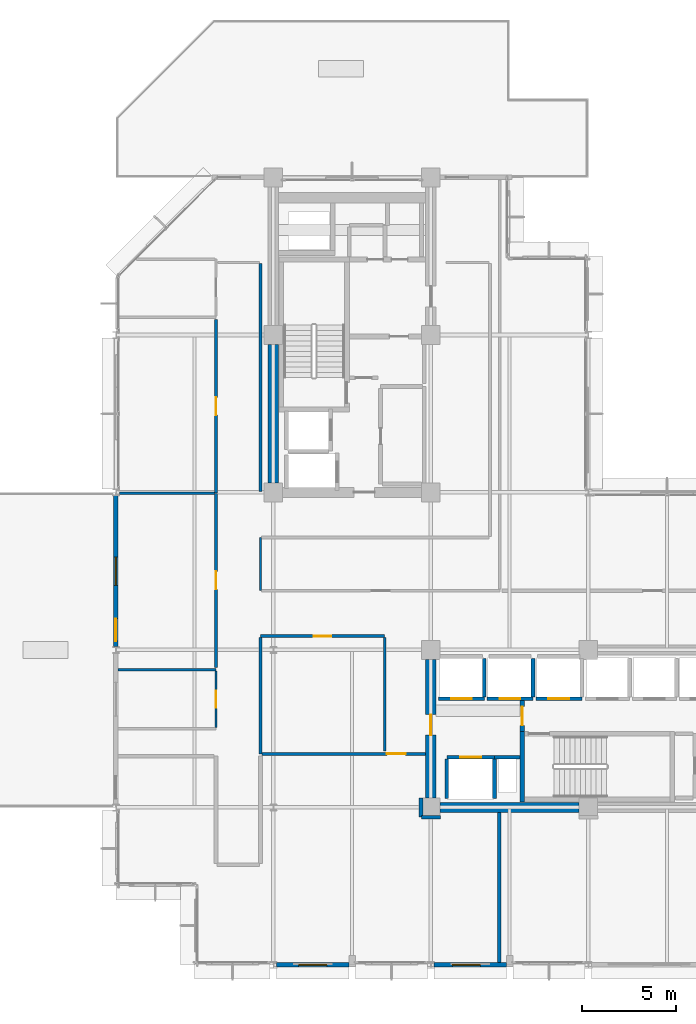
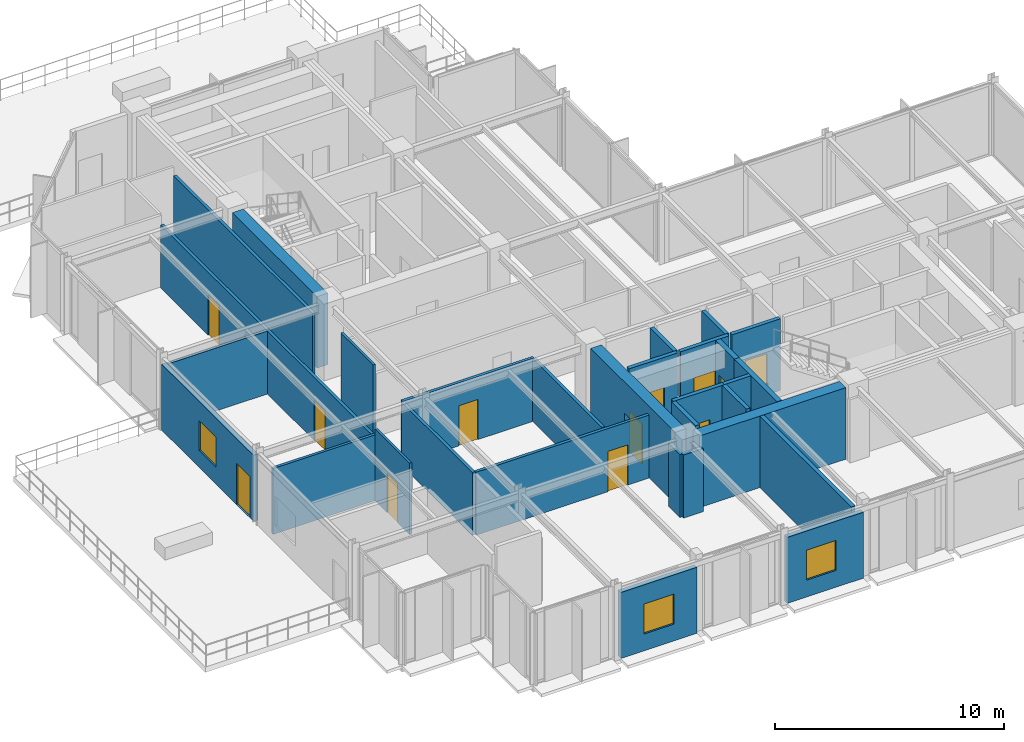
# One storey, part 15 of 21: 31 walls, 12 doors, 3 windows, 15 openings.
"""IFC4 building model written with IfcOpenShell, lengths in metres."""

from ifc_helpers import new_model, si_unit, direction, frame, frame_2d, origin, place, context, subcontext, project, spatial, rectangle, extrude, material, layer, layer_set, type_object, element, fill, save


model = new_model("IFC4")

# Units and contexts
model_context = context("Model", 3, precision=1e-05, world=origin(), true_north=direction((0.0, 1.0)))
body_context = subcontext(model_context, "Body", "Model", "MODEL_VIEW")
ifc_project = project(units=[si_unit("LENGTHUNIT", "METRE"), si_unit("AREAUNIT", "SQUARE_METRE"), si_unit("VOLUMEUNIT", "CUBIC_METRE"), si_unit("PLANEANGLEUNIT", "RADIAN"), si_unit("MASSUNIT", "GRAM", prefix="KILO")], contexts=[model_context])

# Site, building, storey
site_placement = place(None, origin())
site = spatial("IfcSite", under=ifc_project, at=site_placement, CompositionType="ELEMENT")
building_placement = place(site_placement, origin())
building = spatial("IfcBuilding", under=site, at=building_placement, Name="Nerrivon Quay Data Exchange", CompositionType="ELEMENT")
storey_placement = place(building_placement, frame((0.0, 0.0, 220.60009765625)))
storey = spatial("IfcBuildingStorey", under=building, at=storey_placement, Name="L52", CompositionType="ELEMENT", Elevation=220.60009765625)

# Wall, opening, window
ifc_material_1 = material(Name="Architectural terracotta precast concrete N50 (50 MPa)", Category="masonry")
ifc_layer_1 = layer(ifc_material_1, 0.239990234375)
ifc_layer_set_1 = layer_set([ifc_layer_1], Name="Architectural terracotta precast concrete N50 (50 MPa)")
wall_type_1 = type_object("IfcWallType", Name="EW-PREC-240", PredefinedType="STANDARD", material=ifc_layer_set_1)
wall_1_placement = place(storey_placement, frame((20.824951171875, 0.0, 0.0), z_axis=(0.0, 0.0, 1.0), x_axis=(-1.0, 0.0, 0.0)))
wall_1 = element("IfcWall", 1, at=wall_1_placement, inside=storey, type_object=wall_type_1, Name="L52 Podium Precast Spandrel Wall 5", PredefinedType="STANDARD", context=body_context, shape_type="SweptSolid", body=[
    extrude(rectangle(XDim=3.849853515625, YDim=0.239990234375, at=frame_2d((1.9248046875, 0.0))), origin(), (0.0, 0.0, 1.0), 3.52490234375),
])
opening_1_placement = place(wall_1_placement, frame((1.376953125, 0.0, 0.89990234375)))
opening_1 = element("IfcOpeningElement", 2, at=opening_1_placement, cuts=wall_1, Name="Opening WN4", PredefinedType="OPENING", context=body_context, shape_type="SweptSolid", body=[
    extrude(rectangle(XDim=1.5, YDim=1.60009765625, at=frame_2d((0.75, 0.800048828125))), frame((0.0, 0.1298828125, 0.0), z_axis=(0.0, -1.0, 0.0), x_axis=(1.0, 0.0, 0.0)), (0.0, 0.0, 1.0), 0.260009765625),
])
ifc_material_2 = material(Name="Double-glazed low-E solar control glass", Category="glass")
window_type = type_object("IfcWindowType", Name="WIN-W4-1500x1600", PartitioningType="SINGLE_PANEL", PredefinedType="WINDOW", material=ifc_material_2)
window_1_placement = place(opening_1_placement, origin())
window_1 = element("IfcWindow", 3, at=window_1_placement, inside=storey, type_object=window_type, Name="L52 Solar Facade Window 5", OverallHeight=1.60009765625, OverallWidth=1.5, PartitioningType="SINGLE_PANEL", PredefinedType="WINDOW", context=body_context, shape_type="SweptSolid", body=[
    extrude(rectangle(XDim=1.5, YDim=1.60009765625, at=frame_2d((0.75, 0.800048828125))), frame((0.0, 0.030029296875, 0.0), z_axis=(0.0, -1.0, 0.0), x_axis=(1.0, 0.0, 0.0)), (0.0, 0.0, 1.0), 0.06005859375),
])
fill(opening_1, window_1)

wall_2_placement = place(storey_placement, frame((12.425048828125, 0.0, 0.0), z_axis=(0.0, 0.0, 1.0), x_axis=(-1.0, 0.0, 0.0)))
wall_2 = element("IfcWall", 4, at=wall_2_placement, inside=storey, type_object=wall_type_1, Name="L52 Podium Precast Spandrel Wall 7", PredefinedType="STANDARD", context=body_context, shape_type="SweptSolid", body=[
    extrude(rectangle(XDim=3.85009765625, YDim=0.239990234375, at=frame_2d((1.925048828125, 0.0))), origin(), (0.0, 0.0, 1.0), 3.52490234375),
])
opening_2_placement = place(wall_2_placement, frame((1.175048828125, 0.0, 0.89990234375)))
opening_2 = element("IfcOpeningElement", 5, at=opening_2_placement, cuts=wall_2, Name="Opening WN4", PredefinedType="OPENING", context=body_context, shape_type="SweptSolid", body=[
    extrude(rectangle(XDim=1.5, YDim=1.60009765625, at=frame_2d((0.75, 0.800048828125))), frame((0.0, 0.1298828125, 0.0), z_axis=(0.0, -1.0, 0.0), x_axis=(1.0, 0.0, 0.0)), (0.0, 0.0, 1.0), 0.260009765625),
])
window_2_placement = place(opening_2_placement, origin())
window_2 = element("IfcWindow", 6, at=window_2_placement, inside=storey, type_object=window_type, Name="L52 Solar Facade Window 7", OverallHeight=1.60009765625, OverallWidth=1.5, PartitioningType="SINGLE_PANEL", PredefinedType="WINDOW", context=body_context, shape_type="SweptSolid", body=[
    extrude(rectangle(XDim=1.5, YDim=1.60009765625, at=frame_2d((0.75, 0.800048828125))), frame((0.0, 0.030029296875, 0.0), z_axis=(0.0, -1.0, 0.0), x_axis=(1.0, 0.0, 0.0)), (0.0, 0.0, 1.0), 0.06005859375),
])
fill(opening_2, window_2)

# Wall, openings, door, window
wall_3_placement = place(storey_placement, frame((0.0, 16.97509765625, 0.0), z_axis=(0.0, 0.0, 1.0), x_axis=(0.0, 1.0, 0.0)))
wall_3 = element("IfcWall", 7, at=wall_3_placement, inside=storey, type_object=wall_type_1, Name="L52 Terrace Host Wall 13", PredefinedType="STANDARD", context=body_context, shape_type="SweptSolid", body=[
    extrude(rectangle(XDim=8.0498046875, YDim=0.239990234375, at=frame_2d((4.02490234375, 0.0))), origin(), (0.0, 0.0, 1.0), 3.52490234375),
])
opening_3_placement = place(wall_3_placement, frame((0.300048828125, 0.0, 0.0)))
opening_3 = element("IfcOpeningElement", 8, at=opening_3_placement, cuts=wall_3, Name="Opening TD1", PredefinedType="OPENING", context=body_context, shape_type="SweptSolid", body=[
    extrude(rectangle(XDim=1.199951171875, YDim=2.199951171875, at=frame_2d((0.60009765625, 1.10009765625))), frame((0.0, 0.1298828125, 0.0), z_axis=(0.0, -1.0, 0.0), x_axis=(1.0, 0.0, 0.0)), (0.0, 0.0, 1.0), 0.260009765625),
])
opening_4_placement = place(wall_3_placement, frame((3.27490234375, 0.0, 0.89990234375)))
opening_4 = element("IfcOpeningElement", 9, at=opening_4_placement, cuts=wall_3, Name="Opening WN4", PredefinedType="OPENING", context=body_context, shape_type="SweptSolid", body=[
    extrude(rectangle(XDim=1.5, YDim=1.60009765625, at=frame_2d((0.75, 0.800048828125))), frame((0.0, 0.1298828125, 0.0), z_axis=(0.0, -1.0, 0.0), x_axis=(1.0, 0.0, 0.0)), (0.0, 0.0, 1.0), 0.260009765625),
])
door_type_1 = type_object("IfcDoorType", Name="DR-TERR-1200x2200", OperationType="NOTDEFINED", PredefinedType="DOOR", material=ifc_material_2)
door_1_placement = place(opening_3_placement, origin())
door_1 = element("IfcDoor", 10, at=door_1_placement, inside=storey, type_object=door_type_1, Name="L52 Outdoor Terrace Access Door 13", OperationType="SINGLE_SWING_RIGHT", OverallHeight=2.199951171875, OverallWidth=1.199951171875, PredefinedType="DOOR", context=body_context, shape_type="SweptSolid", body=[
    extrude(rectangle(XDim=1.199951171875, YDim=2.199951171875, at=frame_2d((0.60009765625, 1.10009765625))), frame((0.0, 0.02490234375, 0.0), z_axis=(0.0, -1.0, 0.0), x_axis=(1.0, 0.0, 0.0)), (0.0, 0.0, 1.0), 0.050048828125),
])
fill(opening_3, door_1)
window_3_placement = place(opening_4_placement, origin())
window_3 = element("IfcWindow", 11, at=window_3_placement, inside=storey, type_object=window_type, Name="L52 Terrace Side Window 13", OverallHeight=1.60009765625, OverallWidth=1.5, PartitioningType="SINGLE_PANEL", PredefinedType="WINDOW", context=body_context, shape_type="SweptSolid", body=[
    extrude(rectangle(XDim=1.5, YDim=1.60009765625, at=frame_2d((0.75, 0.800048828125))), frame((0.0, 0.030029296875, 0.0), z_axis=(0.0, -1.0, 0.0), x_axis=(1.0, 0.0, 0.0)), (0.0, 0.0, 1.0), 0.06005859375),
])
fill(opening_4, window_3)

# Walls
ifc_material_3 = material(Name="Concrete S65 (65 MPa)", Category="concrete")
ifc_layer_2 = layer(ifc_material_3, 0.550048828125)
ifc_layer_set_2 = layer_set([ifc_layer_2], Name="Concrete S65 (65 MPa)")
wall_type_2 = type_object("IfcWallType", Name="WALL-CW-700", PredefinedType="SHEAR", material=ifc_layer_set_2)
wall_4_placement = place(storey_placement, frame((8.39990234375, 25.699951171875, 0.0), z_axis=(0.0, 0.0, 1.0), x_axis=(0.0, 1.0, 0.0)))
element("IfcWall", 12, at=wall_4_placement, inside=storey, type_object=wall_type_2, Name="L52 West Split-Core Shear Wall WCW-W1", PredefinedType="SHEAR", context=body_context, shape_type="SweptSolid", body=[
    extrude(rectangle(XDim=7.400146484375, YDim=0.550048828125, at=frame_2d((3.7001953125, 0.0))), origin(), (0.0, 0.0, 1.0), 3.824951171875),
])
wall_5_placement = place(storey_placement, frame((17.300048828125, 8.39990234375, 0.0), z_axis=(0.0, 0.0, 1.0), x_axis=(1.0, 0.0, 0.0)))
element("IfcWall", 13, at=wall_5_placement, inside=storey, type_object=wall_type_2, Name="L52 East Split-Core Shear Wall ECW-S1", PredefinedType="SHEAR", context=body_context, shape_type="SweptSolid", body=[
    extrude(rectangle(XDim=7.39990234375, YDim=0.550048828125, at=frame_2d((3.699951171875, 0.0))), origin(), (0.0, 0.0, 1.0), 3.824951171875),
])

# Wall, opening, door
wall_6_placement = place(storey_placement, frame((16.800048828125, 8.89990234375, 0.0), z_axis=(0.0, 0.0, 1.0), x_axis=(0.0, 1.0, 0.0)))
wall_6 = element("IfcWall", 14, at=wall_6_placement, inside=storey, type_object=wall_type_2, Name="L52 East Split-Core Shear Wall ECW-W1", PredefinedType="SHEAR", context=body_context, shape_type="SweptSolid", body=[
    extrude(rectangle(XDim=7.400146484375, YDim=0.550048828125, at=frame_2d((3.7001953125, 0.0))), origin(), (0.0, 0.0, 1.0), 3.824951171875),
])
opening_5_placement = place(wall_6_placement, frame((3.35009765625, 0.0, 0.0)))
opening_5 = element("IfcOpeningElement", 15, at=opening_5_placement, cuts=wall_6, Name="Opening FD-120", PredefinedType="OPENING", context=body_context, shape_type="SweptSolid", body=[
    extrude(rectangle(XDim=1.10009765625, YDim=2.14990234375, at=frame_2d((0.550048828125, 1.074951171875))), frame((0.0, 0.284912109375, 0.0), z_axis=(0.0, -1.0, 0.0), x_axis=(1.0, 0.0, 0.0)), (0.0, 0.0, 1.0), 0.570068359375),
])
ifc_material_4 = material(Name="Powder-coated galvanized steel sheet", Category="steel")
door_type_2 = type_object("IfcDoorType", Name="DR-FD120-1100", OperationType="NOTDEFINED", PredefinedType="DOOR", material=ifc_material_4)
door_2_placement = place(opening_5_placement, origin())
door_2 = element("IfcDoor", 16, at=door_2_placement, inside=storey, type_object=door_type_2, Name="L52 East Core Lobby Fire Door", OperationType="SINGLE_SWING_RIGHT", OverallHeight=2.14990234375, OverallWidth=1.10009765625, PredefinedType="DOOR", context=body_context, shape_type="SweptSolid", body=[
    extrude(rectangle(XDim=1.10009765625, YDim=2.14990234375, at=frame_2d((0.550048828125, 1.074951171875))), frame((0.0, 0.02490234375, 0.0), z_axis=(0.0, -1.0, 0.0), x_axis=(1.0, 0.0, 0.0)), (0.0, 0.0, 1.0), 0.050048828125),
])
fill(opening_5, door_2)

# Wall
ifc_material_5 = material(Name="Gypsum plasterboard on cold-formed framing", Category="gypsum")
ifc_layer_3 = layer(ifc_material_5, 0.199951171875)
ifc_layer_set_3 = layer_set([ifc_layer_3], Name="Gypsum plasterboard on cold-formed framing")
wall_type_3 = type_object("IfcWallType", Name="WALL-FW-200", PredefinedType="PARTITIONING", material=ifc_layer_set_3)
wall_7_placement = place(storey_placement, frame((20.199951171875, 11.080078125, 0.0), z_axis=(0.0, 0.0, 1.0), x_axis=(1.0, 0.0, 0.0)))
element("IfcWall", 17, at=wall_7_placement, inside=storey, type_object=wall_type_3, Name="L52 East Core MEP Riser Shaft Wall N", PredefinedType="PARTITIONING", context=body_context, shape_type="SweptSolid", body=[
    extrude(rectangle(XDim=1.35009765625, YDim=0.199951171875, at=frame_2d((0.675048828125, 0.0))), origin(), (0.0, 0.0, 1.0), 3.824951171875),
])

# Wall, opening, door
wall_8_placement = place(storey_placement, frame((17.64990234375, 11.080078125, 0.0), z_axis=(0.0, 0.0, 1.0), x_axis=(1.0, 0.0, 0.0)))
wall_8 = element("IfcWall", 18, at=wall_8_placement, inside=storey, type_object=wall_type_3, Name="L52 Lift Front Wall FFL-2", PredefinedType="PARTITIONING", context=body_context, shape_type="SweptSolid", body=[
    extrude(rectangle(XDim=2.550048828125, YDim=0.199951171875, at=frame_2d((1.27490234375, 0.0))), origin(), (0.0, 0.0, 1.0), 3.824951171875),
])
opening_6_placement = place(wall_8_placement, frame((0.72509765625, 0.0, 0.0)))
opening_6 = element("IfcOpeningElement", 19, at=opening_6_placement, cuts=wall_8, Name="Opening LD-120", PredefinedType="OPENING", context=body_context, shape_type="SweptSolid", body=[
    extrude(rectangle(XDim=1.10009765625, YDim=2.199951171875, at=frame_2d((0.550048828125, 1.10009765625))), frame((0.0, 0.10986328125, 0.0), z_axis=(0.0, -1.0, 0.0), x_axis=(1.0, 0.0, 0.0)), (0.0, 0.0, 1.0), 0.219970703125),
])
door_type_3 = type_object("IfcDoorType", Name="DR-LIFT-LD120", OperationType="DOUBLE_DOOR_SLIDING", PredefinedType="DOOR", material=ifc_material_4)
door_3_placement = place(opening_6_placement, origin())
door_3 = element("IfcDoor", 20, at=door_3_placement, inside=storey, type_object=door_type_3, Name="L52 Lift Landing Sliding Door FFL-2", OperationType="DOUBLE_DOOR_SLIDING", OverallHeight=2.199951171875, OverallWidth=1.10009765625, PredefinedType="DOOR", context=body_context, shape_type="SweptSolid", body=[
    extrude(rectangle(XDim=1.10009765625, YDim=2.199951171875, at=frame_2d((0.550048828125, 1.10009765625))), frame((0.0, 0.02490234375, 0.0), z_axis=(0.0, -1.0, 0.0), x_axis=(1.0, 0.0, 0.0)), (0.0, 0.0, 1.0), 0.050048828125),
])
fill(opening_6, door_3)

# Walls
for number, where, z_axis, x_axis, name in (
    (21, (20.199951171875, 8.8798828125, 0.0), (0.0, 0.0, 1.0), (0.0, 1.0, 0.0), "L52 Lift Shaft Wall FFL-2 EAST"),
    (22, (17.64990234375, 8.8798828125, 0.0), (0.0, 0.0, 1.0), (0.0, 1.0, 0.0), "L52 Lift Shaft Wall FFL-2 WEST"),
):
    element("IfcWall", number, at=place(storey_placement, frame(where, z_axis=z_axis, x_axis=x_axis)), inside=storey, type_object=wall_type_3, Name=name, PredefinedType="PARTITIONING", context=body_context, shape_type="SweptSolid", body=[
        extrude(rectangle(XDim=2.10009765625, YDim=0.199951171875, at=frame_2d((1.050048828125, 0.0))), origin(), (0.0, 0.0, 1.0), 3.824951171875),
    ])

# Wall, opening, door
wall_9_placement = place(storey_placement, frame((17.199951171875, 14.199951171875, 0.0), z_axis=(0.0, 0.0, 1.0), x_axis=(1.0, 0.0, 0.0)))
wall_9 = element("IfcWall", 23, at=wall_9_placement, inside=storey, type_object=wall_type_3, Name="L52 Lift Front Wall PL4", PredefinedType="PARTITIONING", context=body_context, shape_type="SweptSolid", body=[
    extrude(rectangle(XDim=2.449951171875, YDim=0.199951171875, at=frame_2d((1.22509765625, 0.0))), origin(), (0.0, 0.0, 1.0), 3.824951171875),
])
opening_7_placement = place(wall_9_placement, frame((0.675048828125, 0.0, 0.0)))
opening_7 = element("IfcOpeningElement", 24, at=opening_7_placement, cuts=wall_9, Name="Opening LD-120", PredefinedType="OPENING", context=body_context, shape_type="SweptSolid", body=[
    extrude(rectangle(XDim=1.10009765625, YDim=2.199951171875, at=frame_2d((0.550048828125, 1.10009765625))), frame((0.0, 0.10986328125, 0.0), z_axis=(0.0, -1.0, 0.0), x_axis=(1.0, 0.0, 0.0)), (0.0, 0.0, 1.0), 0.219970703125),
])
door_4_placement = place(opening_7_placement, origin())
door_4 = element("IfcDoor", 25, at=door_4_placement, inside=storey, type_object=door_type_3, Name="L52 Lift Landing Sliding Door PL4", OperationType="DOUBLE_DOOR_SLIDING", OverallHeight=2.199951171875, OverallWidth=1.10009765625, PredefinedType="DOOR", context=body_context, shape_type="SweptSolid", body=[
    extrude(rectangle(XDim=1.10009765625, YDim=2.199951171875, at=frame_2d((0.550048828125, 1.10009765625))), frame((0.0, 0.02490234375, 0.0), z_axis=(0.0, -1.0, 0.0), x_axis=(1.0, 0.0, 0.0)), (0.0, 0.0, 1.0), 0.050048828125),
])
fill(opening_7, door_4)

# Wall
wall_10_placement = place(storey_placement, frame((19.64990234375, 14.300048828125, 0.0), z_axis=(0.0, 0.0, 1.0), x_axis=(0.0, 1.0, 0.0)))
element("IfcWall", 26, at=wall_10_placement, inside=storey, type_object=wall_type_3, Name="L52 Lift Shaft Wall PL4 EAST", PredefinedType="PARTITIONING", context=body_context, shape_type="SweptSolid", body=[
    extrude(rectangle(XDim=2.050048828125, YDim=0.199951171875, at=frame_2d((1.02490234375, 0.0))), origin(), (0.0, 0.0, 1.0), 3.824951171875),
])

# Wall, opening, door
wall_11_placement = place(storey_placement, frame((19.800048828125, 14.199951171875, 0.0), z_axis=(0.0, 0.0, 1.0), x_axis=(1.0, 0.0, 0.0)))
wall_11 = element("IfcWall", 27, at=wall_11_placement, inside=storey, type_object=wall_type_3, Name="L52 Lift Front Wall PL5", PredefinedType="PARTITIONING", context=body_context, shape_type="SweptSolid", body=[
    extrude(rectangle(XDim=2.449951171875, YDim=0.199951171875, at=frame_2d((1.22509765625, 0.0))), origin(), (0.0, 0.0, 1.0), 3.824951171875),
])
opening_8_placement = place(wall_11_placement, frame((0.675048828125, 0.0, 0.0)))
opening_8 = element("IfcOpeningElement", 28, at=opening_8_placement, cuts=wall_11, Name="Opening LD-120", PredefinedType="OPENING", context=body_context, shape_type="SweptSolid", body=[
    extrude(rectangle(XDim=1.10009765625, YDim=2.199951171875, at=frame_2d((0.550048828125, 1.10009765625))), frame((0.0, 0.10986328125, 0.0), z_axis=(0.0, -1.0, 0.0), x_axis=(1.0, 0.0, 0.0)), (0.0, 0.0, 1.0), 0.219970703125),
])
door_5_placement = place(opening_8_placement, origin())
door_5 = element("IfcDoor", 29, at=door_5_placement, inside=storey, type_object=door_type_3, Name="L52 Lift Landing Sliding Door PL5", OperationType="DOUBLE_DOOR_SLIDING", OverallHeight=2.199951171875, OverallWidth=1.10009765625, PredefinedType="DOOR", context=body_context, shape_type="SweptSolid", body=[
    extrude(rectangle(XDim=1.10009765625, YDim=2.199951171875, at=frame_2d((0.550048828125, 1.10009765625))), frame((0.0, 0.02490234375, 0.0), z_axis=(0.0, -1.0, 0.0), x_axis=(1.0, 0.0, 0.0)), (0.0, 0.0, 1.0), 0.050048828125),
])
fill(opening_8, door_5)

# Wall
wall_12_placement = place(storey_placement, frame((22.25, 14.300048828125, 0.0), z_axis=(0.0, 0.0, 1.0), x_axis=(0.0, 1.0, 0.0)))
element("IfcWall", 30, at=wall_12_placement, inside=storey, type_object=wall_type_3, Name="L52 Lift Shaft Wall PL5 EAST", PredefinedType="PARTITIONING", context=body_context, shape_type="SweptSolid", body=[
    extrude(rectangle(XDim=2.050048828125, YDim=0.199951171875, at=frame_2d((1.02490234375, 0.0))), origin(), (0.0, 0.0, 1.0), 3.824951171875),
])

# Wall, opening, door
wall_13_placement = place(storey_placement, frame((22.39990234375, 14.199951171875, 0.0), z_axis=(0.0, 0.0, 1.0), x_axis=(1.0, 0.0, 0.0)))
wall_13 = element("IfcWall", 31, at=wall_13_placement, inside=storey, type_object=wall_type_3, Name="L52 Lift Front Wall PL6", PredefinedType="PARTITIONING", context=body_context, shape_type="SweptSolid", body=[
    extrude(rectangle(XDim=2.4501953125, YDim=0.199951171875, at=frame_2d((1.22509765625, 0.0))), origin(), (0.0, 0.0, 1.0), 3.824951171875),
])
opening_9_placement = place(wall_13_placement, frame((0.675048828125, 0.0, 0.0)))
opening_9 = element("IfcOpeningElement", 32, at=opening_9_placement, cuts=wall_13, Name="Opening LD-120", PredefinedType="OPENING", context=body_context, shape_type="SweptSolid", body=[
    extrude(rectangle(XDim=1.10009765625, YDim=2.199951171875, at=frame_2d((0.550048828125, 1.10009765625))), frame((0.0, 0.10986328125, 0.0), z_axis=(0.0, -1.0, 0.0), x_axis=(1.0, 0.0, 0.0)), (0.0, 0.0, 1.0), 0.219970703125),
])
door_6_placement = place(opening_9_placement, origin())
door_6 = element("IfcDoor", 33, at=door_6_placement, inside=storey, type_object=door_type_3, Name="L52 Lift Landing Sliding Door PL6", OperationType="DOUBLE_DOOR_SLIDING", OverallHeight=2.199951171875, OverallWidth=1.10009765625, PredefinedType="DOOR", context=body_context, shape_type="SweptSolid", body=[
    extrude(rectangle(XDim=1.10009765625, YDim=2.199951171875, at=frame_2d((0.550048828125, 1.10009765625))), frame((0.0, 0.02490234375, 0.0), z_axis=(0.0, -1.0, 0.0), x_axis=(1.0, 0.0, 0.0)), (0.0, 0.0, 1.0), 0.050048828125),
])
fill(opening_9, door_6)

# Walls
wall_14_placement = place(storey_placement, frame((20.451171875, 8.12109375, 0.0), z_axis=(0.0, 0.0, 1.0), x_axis=(0.0, -1.0, 0.0)))
element("IfcWall", 34, at=wall_14_placement, inside=storey, type_object=wall_type_3, Name="L52 Partition Colocation Data Workspace 1", PredefinedType="PARTITIONING", context=body_context, shape_type="SweptSolid", body=[
    extrude(rectangle(XDim=7.9970703125, YDim=0.199951171875, at=frame_2d((3.99853515625, 0.0))), origin(), (0.0, 0.0, 1.0), 3.824951171875),
])
wall_15_placement = place(storey_placement, frame((17.303955078125, 7.88037109375, 0.0), z_axis=(0.0, 0.0, 1.0), x_axis=(-0.999999881717, -0.000486381265, 0.0)))
element("IfcWall", 35, at=wall_15_placement, inside=storey, type_object=wall_type_3, Name="L52 Partition Sky Lobby Concierge Foyer", PredefinedType="PARTITIONING", context=body_context, shape_type="SweptSolid", body=[
    extrude(rectangle(XDim=1.00390625, YDim=0.199951171875, at=frame_2d((0.501953125, 0.0))), origin(), (0.0, 0.0, 1.0), 3.370849609375),
])
wall_16_placement = place(storey_placement, frame((16.280029296875, 7.89990234375, 0.0), z_axis=(0.0, 0.0, 1.0), x_axis=(0.000486381265, 0.999999881717, 0.0)))
element("IfcWall", 36, at=wall_16_placement, inside=storey, type_object=wall_type_3, Name="L52 Partition Sky Lobby Concierge Foyer", PredefinedType="PARTITIONING", context=body_context, shape_type="SweptSolid", body=[
    extrude(rectangle(XDim=1.00390625, YDim=0.199951171875, at=frame_2d((0.501953125, 0.0))), origin(), (0.0, 0.0, 1.0), 3.364990234375),
])

# Wall, opening, door
ifc_layer_4 = layer(ifc_material_5, 0.1201171875)
ifc_layer_set_4 = layer_set([ifc_layer_4], Name="Gypsum plasterboard on cold-formed framing")
wall_type_4 = type_object("IfcWallType", Name="WALL-PT-120", PredefinedType="PARTITIONING", material=ifc_layer_set_4)
wall_17_placement = place(storey_placement, frame((5.340087890625, 12.67138671875, 0.0), z_axis=(0.0, 0.0, 1.0), x_axis=(0.0, 1.0, 0.0)))
wall_17 = element("IfcWall", 37, at=wall_17_placement, inside=storey, type_object=wall_type_4, Name="L52 Partition Accessible Toilet", PredefinedType="PARTITIONING", context=body_context, shape_type="SweptSolid", body=[
    extrude(rectangle(XDim=3.007080078125, YDim=0.1201171875, at=frame_2d((1.50341796875, 0.0))), origin(), (0.0, 0.0, 1.0), 3.824951171875),
])
opening_10_placement = place(wall_17_placement, frame((1.04345703125, 0.0, 0.0)))
opening_10 = element("IfcOpeningElement", 38, at=opening_10_placement, cuts=wall_17, Name="Opening D-WC", PredefinedType="OPENING", context=body_context, shape_type="SweptSolid", body=[
    extrude(rectangle(XDim=0.919921875, YDim=2.10009765625, at=frame_2d((0.4599609375, 1.050048828125))), frame((0.0, 0.070068359375, 0.0), z_axis=(0.0, -1.0, 0.0), x_axis=(1.0, 0.0, 0.0)), (0.0, 0.0, 1.0), 0.14013671875),
])
ifc_material_6 = material(Name="Engineered hardwood timber", Category="wood")
door_type_4 = type_object("IfcDoorType", Name="DR-WC-920", OperationType="NOTDEFINED", PredefinedType="DOOR", material=ifc_material_6)
door_7_placement = place(opening_10_placement, origin())
door_7 = element("IfcDoor", 39, at=door_7_placement, inside=storey, type_object=door_type_4, Name="L52 Door Accessible Toilet", OperationType="SINGLE_SWING_LEFT", OverallHeight=2.10009765625, OverallWidth=0.919921875, PredefinedType="DOOR", context=body_context, shape_type="SweptSolid", body=[
    extrude(rectangle(XDim=0.919921875, YDim=2.10009765625, at=frame_2d((0.4599609375, 1.050048828125))), frame((0.0, 0.02490234375, 0.0), z_axis=(0.0, -1.0, 0.0), x_axis=(1.0, 0.0, 0.0)), (0.0, 0.0, 1.0), 0.050048828125),
])
fill(opening_10, door_7)

# Walls
wall_18_placement = place(storey_placement, frame((7.7099609375, 22.7900390625, 0.0), z_axis=(0.0, 0.0, 1.0), x_axis=(0.0, -1.0, 0.0)))
element("IfcWall", 40, at=wall_18_placement, inside=storey, type_object=wall_type_4, Name="L52 Partition Peering Huddle Meeting Room", PredefinedType="PARTITIONING", context=body_context, shape_type="SweptSolid", body=[
    extrude(rectangle(XDim=2.830078125, YDim=0.1201171875, at=frame_2d((1.4150390625, 0.0))), origin(), (0.0, 0.0, 1.0), 3.824951171875),
])
ifc_layer_5 = layer(ifc_material_5, 0.135009765625)
ifc_layer_set_5 = layer_set([ifc_layer_5], Name="Gypsum plasterboard on cold-formed framing")
wall_type_5 = type_object("IfcWallType", Name="WALL-PT-135", PredefinedType="PARTITIONING", material=ifc_layer_set_5)
wall_19_placement = place(storey_placement, frame((5.340087890625, 15.75, 0.0), z_axis=(0.0, 0.0, 1.0), x_axis=(-1.0, 0.0, 0.0)))
element("IfcWall", 41, at=wall_19_placement, inside=storey, type_object=wall_type_5, Name="L52 Partition Accessible Toilet", PredefinedType="PARTITIONING", context=body_context, shape_type="SweptSolid", body=[
    extrude(rectangle(XDim=5.216064453125, YDim=0.135009765625, at=frame_2d((2.60791015625, 0.0))), origin(), (0.0, 0.0, 1.0), 3.517822265625),
])
wall_20_placement = place(storey_placement, frame((5.260986328125, 25.14990234375, 0.0), z_axis=(0.0, 0.0, 1.0), x_axis=(-1.0, 0.0, 0.0)))
element("IfcWall", 42, at=wall_20_placement, inside=storey, type_object=wall_type_5, Name="L52 Partition Engineers Lounge", PredefinedType="PARTITIONING", context=body_context, shape_type="SweptSolid", body=[
    extrude(rectangle(XDim=5.06591796875, YDim=0.135009765625, at=frame_2d((2.532958984375, 0.0))), origin(), (0.0, 0.0, 1.0), 3.364990234375),
])

# Wall, opening, door
ifc_layer_6 = layer(ifc_material_5, 0.14990234375)
ifc_layer_set_6 = layer_set([ifc_layer_6], Name="Gypsum plasterboard on cold-formed framing")
wall_type_6 = type_object("IfcWallType", Name="WALL-PT-150", PredefinedType="PARTITIONING", material=ifc_layer_set_6)
wall_21_placement = place(storey_placement, frame((14.340087890625, 17.5400390625, 0.0), z_axis=(0.0, 0.0, 1.0), x_axis=(-1.0, 0.0, 0.0)))
wall_21 = element("IfcWall", 43, at=wall_21_placement, inside=storey, type_object=wall_type_6, Name="L52 Partition Client Conference Room 1", PredefinedType="PARTITIONING", context=body_context, shape_type="SweptSolid", body=[
    extrude(rectangle(XDim=6.630126953125, YDim=0.14990234375, at=frame_2d((3.31494140625, 0.0))), origin(), (0.0, 0.0, 1.0), 3.370849609375),
])
opening_11_placement = place(wall_21_placement, frame((2.840087890625, 0.0, 0.0)))
opening_11 = element("IfcOpeningElement", 44, at=opening_11_placement, cuts=wall_21, Name="Opening D-01", PredefinedType="OPENING", context=body_context, shape_type="SweptSolid", body=[
    extrude(rectangle(XDim=0.949951171875, YDim=2.14990234375, at=frame_2d((0.47509765625, 1.074951171875))), frame((0.0, 0.0849609375, 0.0), z_axis=(0.0, -1.0, 0.0), x_axis=(1.0, 0.0, 0.0)), (0.0, 0.0, 1.0), 0.169921875),
])
door_type_5 = type_object("IfcDoorType", Name="DR-INT-950", OperationType="NOTDEFINED", PredefinedType="DOOR", material=ifc_material_6)
door_8_placement = place(opening_11_placement, origin())
door_8 = element("IfcDoor", 45, at=door_8_placement, inside=storey, type_object=door_type_5, Name="L52 Door Client Conference Room 1", OperationType="SINGLE_SWING_RIGHT", OverallHeight=2.14990234375, OverallWidth=0.949951171875, PredefinedType="DOOR", context=body_context, shape_type="SweptSolid", body=[
    extrude(rectangle(XDim=0.949951171875, YDim=2.14990234375, at=frame_2d((0.47509765625, 1.074951171875))), frame((0.0, 0.02490234375, 0.0), z_axis=(0.0, -1.0, 0.0), x_axis=(1.0, 0.0, 0.0)), (0.0, 0.0, 1.0), 0.050048828125),
])
fill(opening_11, door_8)

# Wall
wall_22_placement = place(storey_placement, frame((7.7099609375, 17.4609375, 0.0), z_axis=(0.0, 0.0, 1.0), x_axis=(0.0, -1.0, 0.0)))
element("IfcWall", 46, at=wall_22_placement, inside=storey, type_object=wall_type_6, Name="L52 Partition Client Conference Room 1", PredefinedType="PARTITIONING", context=body_context, shape_type="SweptSolid", body=[
    extrude(rectangle(XDim=6.204833984375, YDim=0.14990234375, at=frame_2d((3.1025390625, 0.0))), origin(), (0.0, 0.0, 1.0), 3.364990234375),
])

# Wall, opening, door
wall_23_placement = place(storey_placement, frame((7.7890625, 11.256103515625, 0.0), z_axis=(0.0, 0.0, 1.0), x_axis=(1.0, 0.0, 0.0)))
wall_23 = element("IfcWall", 47, at=wall_23_placement, inside=storey, type_object=wall_type_6, Name="L52 Partition Client Conference Room 1", PredefinedType="PARTITIONING", context=body_context, shape_type="SweptSolid", body=[
    extrude(rectangle(XDim=8.73193359375, YDim=0.14990234375, at=frame_2d((4.365966796875, 0.0))), origin(), (0.0, 0.0, 1.0), 3.370849609375),
])
opening_12_placement = place(wall_23_placement, frame((6.66015625, 0.0, 0.0)))
opening_12 = element("IfcOpeningElement", 48, at=opening_12_placement, cuts=wall_23, Name="Opening FD-60", PredefinedType="OPENING", context=body_context, shape_type="SweptSolid", body=[
    extrude(rectangle(XDim=1.0, YDim=2.14990234375, at=frame_2d((0.5, 1.074951171875))), frame((0.0, 0.0849609375, 0.0), z_axis=(0.0, -1.0, 0.0), x_axis=(1.0, 0.0, 0.0)), (0.0, 0.0, 1.0), 0.169921875),
])
door_type_6 = type_object("IfcDoorType", Name="DR-FD60-1000", OperationType="NOTDEFINED", PredefinedType="DOOR", material=ifc_material_6)
door_9_placement = place(opening_12_placement, origin())
door_9 = element("IfcDoor", 49, at=door_9_placement, inside=storey, type_object=door_type_6, Name="L52 Door Sky Lobby Concierge Foyer", OperationType="SINGLE_SWING_LEFT", OverallHeight=2.14990234375, OverallWidth=1.0, PredefinedType="DOOR", context=body_context, shape_type="SweptSolid", body=[
    extrude(rectangle(XDim=1.0, YDim=2.14990234375, at=frame_2d((0.5, 1.074951171875))), frame((0.0, 0.02490234375, 0.0), z_axis=(0.0, -1.0, 0.0), x_axis=(1.0, 0.0, 0.0)), (0.0, 0.0, 1.0), 0.050048828125),
])
fill(opening_12, door_9)

# Wall
wall_24_placement = place(storey_placement, frame((14.340087890625, 11.39990234375, 0.0), z_axis=(0.0, 0.0, 1.0), x_axis=(0.0, 1.0, 0.0)))
element("IfcWall", 50, at=wall_24_placement, inside=storey, type_object=wall_type_6, Name="L52 Partition Client Conference Room 1", PredefinedType="PARTITIONING", context=body_context, shape_type="SweptSolid", body=[
    extrude(rectangle(XDim=6.06103515625, YDim=0.14990234375, at=frame_2d((3.030517578125, 0.0))), origin(), (0.0, 0.0, 1.0), 3.364990234375),
])

# Wall, opening, door
wall_25_placement = place(storey_placement, frame((5.340087890625, 15.8701171875, 0.0), z_axis=(0.0, 0.0, 1.0), x_axis=(0.0, 1.0, 0.0)))
wall_25 = element("IfcWall", 51, at=wall_25_placement, inside=storey, type_object=wall_type_6, Name="L52 Partition Engineers Lounge", PredefinedType="PARTITIONING", context=body_context, shape_type="SweptSolid", body=[
    extrude(rectangle(XDim=9.27978515625, YDim=0.14990234375, at=frame_2d((4.639892578125, 0.0))), origin(), (0.0, 0.0, 1.0), 3.364990234375),
])
opening_13_placement = place(wall_25_placement, frame((4.1650390625, 0.0, 0.0)))
opening_13 = element("IfcOpeningElement", 52, at=opening_13_placement, cuts=wall_25, Name="Opening D-01", PredefinedType="OPENING", context=body_context, shape_type="SweptSolid", body=[
    extrude(rectangle(XDim=0.949951171875, YDim=2.14990234375, at=frame_2d((0.47509765625, 1.074951171875))), frame((0.0, 0.0849609375, 0.0), z_axis=(0.0, -1.0, 0.0), x_axis=(1.0, 0.0, 0.0)), (0.0, 0.0, 1.0), 0.169921875),
])
door_10_placement = place(opening_13_placement, origin())
door_10 = element("IfcDoor", 53, at=door_10_placement, inside=storey, type_object=door_type_5, Name="L52 Door Engineers Lounge", OperationType="SINGLE_SWING_LEFT", OverallHeight=2.14990234375, OverallWidth=0.949951171875, PredefinedType="DOOR", context=body_context, shape_type="SweptSolid", body=[
    extrude(rectangle(XDim=0.949951171875, YDim=2.14990234375, at=frame_2d((0.47509765625, 1.074951171875))), frame((0.0, 0.02490234375, 0.0), z_axis=(0.0, -1.0, 0.0), x_axis=(1.0, 0.0, 0.0)), (0.0, 0.0, 1.0), 0.050048828125),
])
fill(opening_13, door_10)

wall_26_placement = place(storey_placement, frame((5.340087890625, 25.169921875, 0.0), z_axis=(0.0, 0.0, 1.0), x_axis=(0.0, 1.0, 0.0)))
wall_26 = element("IfcWall", 54, at=wall_26_placement, inside=storey, type_object=wall_type_6, Name="L52 Partition Peering Day Lounge", PredefinedType="PARTITIONING", context=body_context, shape_type="SweptSolid", body=[
    extrude(rectangle(XDim=9.260009765625, YDim=0.14990234375, at=frame_2d((4.6298828125, 0.0))), origin(), (0.0, 0.0, 1.0), 3.364990234375),
])
opening_14_placement = place(wall_26_placement, frame((4.155029296875, 0.0, 0.0)))
opening_14 = element("IfcOpeningElement", 55, at=opening_14_placement, cuts=wall_26, Name="Opening D-01", PredefinedType="OPENING", context=body_context, shape_type="SweptSolid", body=[
    extrude(rectangle(XDim=0.949951171875, YDim=2.14990234375, at=frame_2d((0.47509765625, 1.074951171875))), frame((0.0, 0.0849609375, 0.0), z_axis=(0.0, -1.0, 0.0), x_axis=(1.0, 0.0, 0.0)), (0.0, 0.0, 1.0), 0.169921875),
])
door_11_placement = place(opening_14_placement, origin())
door_11 = element("IfcDoor", 56, at=door_11_placement, inside=storey, type_object=door_type_5, Name="L52 Door Peering Day Lounge", OperationType="SINGLE_SWING_RIGHT", OverallHeight=2.14990234375, OverallWidth=0.949951171875, PredefinedType="DOOR", context=body_context, shape_type="SweptSolid", body=[
    extrude(rectangle(XDim=0.949951171875, YDim=2.14990234375, at=frame_2d((0.47509765625, 1.074951171875))), frame((0.0, 0.02490234375, 0.0), z_axis=(0.0, -1.0, 0.0), x_axis=(1.0, 0.0, 0.0)), (0.0, 0.0, 1.0), 0.050048828125),
])
fill(opening_14, door_11)

# Walls
wall_27_placement = place(storey_placement, frame((7.7099609375, 37.39990234375, 0.0), z_axis=(0.0, 0.0, 1.0), x_axis=(0.0, -1.0, 0.0)))
element("IfcWall", 57, at=wall_27_placement, inside=storey, type_object=wall_type_6, Name="L52 Partition Peering Huddle Meeting Room", PredefinedType="PARTITIONING", context=body_context, shape_type="SweptSolid", body=[
    extrude(rectangle(XDim=12.139892578125, YDim=0.14990234375, at=frame_2d((6.06982421875, 0.0))), origin(), (0.0, 0.0, 1.0), 3.364990234375),
])
ifc_material_7 = material(Name="Concrete N50 (50 MPa)", Category="concrete")
ifc_layer_7 = layer(ifc_material_7, 0.25)
ifc_layer_set_7 = layer_set([ifc_layer_7], Name="Concrete N50 (50 MPa)")
wall_type_7 = type_object("IfcWallType", Name="WALL-SW-250", PredefinedType="SHEAR", material=ifc_layer_set_7)
wall_28_placement = place(storey_placement, frame((21.675048828125, 8.699951171875, 0.0), z_axis=(0.0, 0.0, 1.0), x_axis=(0.0, 1.0, 0.0)))
element("IfcWall", 58, at=wall_28_placement, inside=storey, type_object=wall_type_7, Name="L52 ST02 Structural Stair Core Wall NEAR", PredefinedType="SHEAR", context=body_context, shape_type="SweptSolid", body=[
    extrude(rectangle(XDim=3.75, YDim=0.25, at=frame_2d((1.875, 0.0))), origin(), (0.0, 0.0, 1.0), 3.824951171875),
])

# Wall, opening, door
wall_29_placement = place(storey_placement, frame((21.679931640625, 12.449951171875, 0.0), z_axis=(0.0, 0.0, 1.0), x_axis=(0.0, 1.0, 0.0)))
wall_29 = element("IfcWall", 59, at=wall_29_placement, inside=storey, type_object=wall_type_7, Name="L52 East Firefighting Lobby Wall", PredefinedType="SHEAR", context=body_context, shape_type="SweptSolid", body=[
    extrude(rectangle(XDim=1.650146484375, YDim=0.25, at=frame_2d((0.8251953125, 0.0))), origin(), (0.0, 0.0, 1.0), 3.824951171875),
])
opening_15_placement = place(wall_29_placement, frame((0.324951171875, 0.0, 0.0)))
opening_15 = element("IfcOpeningElement", 60, at=opening_15_placement, cuts=wall_29, Name="Opening FD-60", PredefinedType="OPENING", context=body_context, shape_type="SweptSolid", body=[
    extrude(rectangle(XDim=1.0, YDim=2.14990234375, at=frame_2d((0.5, 1.074951171875))), frame((0.0, 0.135009765625, 0.0), z_axis=(0.0, -1.0, 0.0), x_axis=(1.0, 0.0, 0.0)), (0.0, 0.0, 1.0), 0.27001953125),
])
door_12_placement = place(opening_15_placement, origin())
door_12 = element("IfcDoor", 61, at=door_12_placement, inside=storey, type_object=door_type_6, Name="L52 East Firefighting Lobby Fire Door", OperationType="SINGLE_SWING_RIGHT", OverallHeight=2.14990234375, OverallWidth=1.0, PredefinedType="DOOR", context=body_context, shape_type="SweptSolid", body=[
    extrude(rectangle(XDim=1.0, YDim=2.14990234375, at=frame_2d((0.5, 1.074951171875))), frame((0.0, 0.02490234375, 0.0), z_axis=(0.0, -1.0, 0.0), x_axis=(1.0, 0.0, 0.0)), (0.0, 0.0, 1.0), 0.050048828125),
])
fill(opening_15, door_12)

save(model, "model.ifc")
